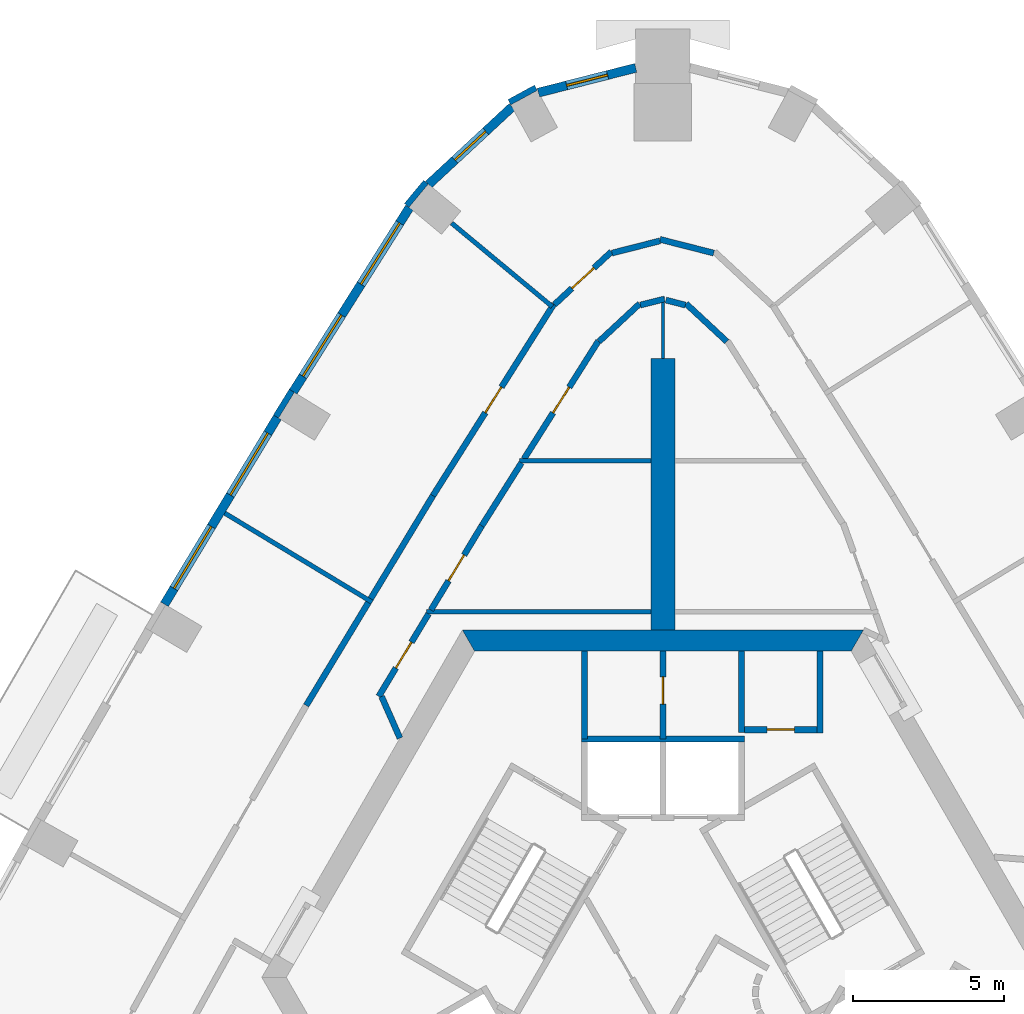
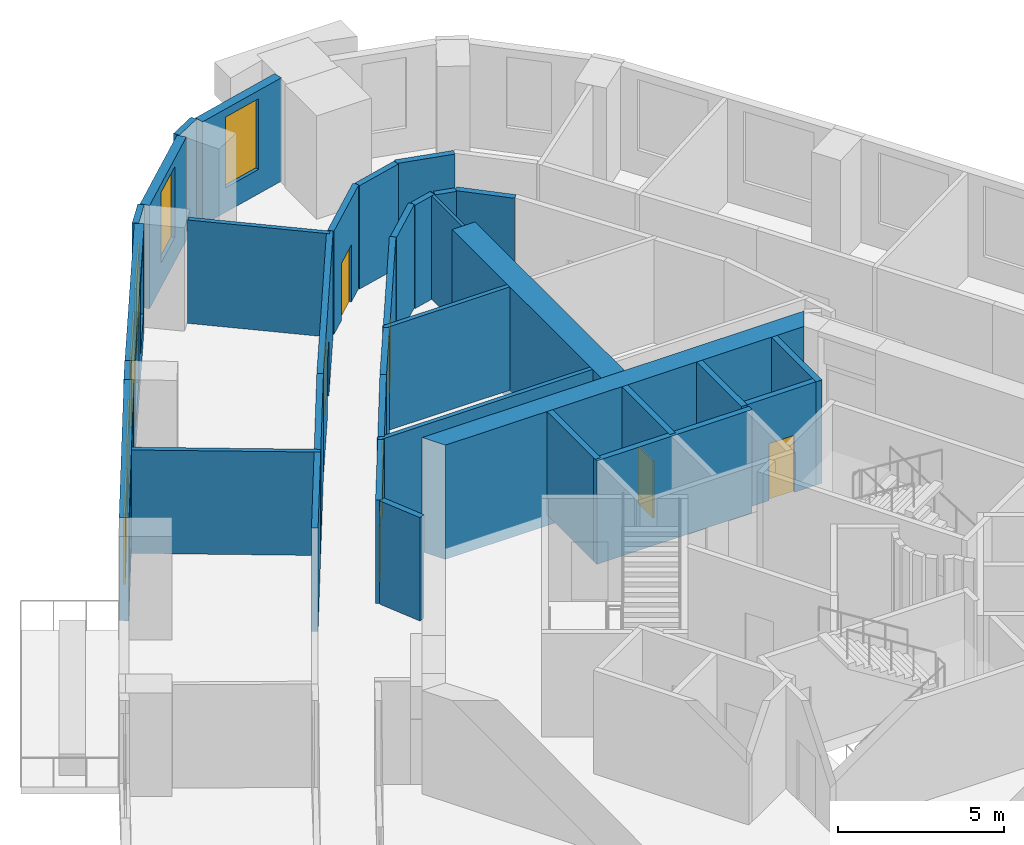
# One storey, part 8 of 13: 35 walls, 7 doors, 6 windows, 13 openings.
"""IFC4 building model written with IfcOpenShell, lengths in metres."""

from ifc_helpers import new_model, si_unit, direction, frame, frame_2d, origin, place, context, subcontext, project, spatial, polyline, rectangle, outline, extrude, material, layer, layer_set, type_object, element, fill, save


model = new_model("IFC4")

# Units and contexts
model_context = context("Model", 3, precision=1e-05, world=origin(), true_north=direction((0.0, 1.0)))
body_context = subcontext(model_context, "Body", "Model", "MODEL_VIEW")
ifc_project = project(units=[si_unit("LENGTHUNIT", "METRE"), si_unit("AREAUNIT", "SQUARE_METRE"), si_unit("VOLUMEUNIT", "CUBIC_METRE"), si_unit("PLANEANGLEUNIT", "RADIAN"), si_unit("MASSUNIT", "GRAM", prefix="KILO")], contexts=[model_context])

# Site, building, storey
site_placement = place(None, origin())
site = spatial("IfcSite", under=ifc_project, at=site_placement, CompositionType="ELEMENT")
building_placement = place(site_placement, origin())
building = spatial("IfcBuilding", under=site, at=building_placement, Name="Entoto Arch Interchange Tower", CompositionType="ELEMENT")
storey_placement = place(building_placement, frame((0.0, 0.0, 198.199951171875)))
storey = spatial("IfcBuildingStorey", under=building, at=storey_placement, Name="L44", CompositionType="ELEMENT", Elevation=198.199951171875)

# Walls
ifc_material_1 = material(Name="Concrete C50/60", Category="concrete")
ifc_layer_1 = layer(ifc_material_1, 0.800048828125)
ifc_layer_set_1 = layer_set([ifc_layer_1], Name="Concrete C50/60")
wall_type_1 = type_object("IfcWallType", Name="Buttress wall 800 C50/60", PredefinedType="SHEAR", material=ifc_layer_set_1)
wall_1_placement = place(storey_placement, frame((0.0, 14.0, -0.39990234375), z_axis=(0.0, 0.0, 1.0), x_axis=(0.0, 1.0, 0.0)))
element("IfcWall", 1, at=wall_1_placement, inside=storey, type_object=wall_type_1, Name="Buttress wall N L44", PredefinedType="SHEAR", context=body_context, shape_type="SweptSolid", body=[
    extrude(rectangle(XDim=9.0, YDim=0.800048828125, at=frame_2d((4.5, 0.0))), origin(), (0.0, 0.0, 1.0), 4.199951171875),
])
ifc_layer_2 = layer(ifc_material_1, 0.699951171875)
ifc_layer_set_2 = layer_set([ifc_layer_2], Name="Concrete C50/60")
wall_type_2 = type_object("IfcWallType", Name="Core wall 700 C50/60", PredefinedType="SHEAR", material=ifc_layer_set_2)
wall_2_placement = place(storey_placement, frame((0.0, 0.0, -0.39990234375)))
element("IfcWall", 2, at=wall_2_placement, inside=storey, type_object=wall_type_2, Name="Core wall N L44", PredefinedType="SHEAR", context=body_context, shape_type="SweptSolid", body=[
    extrude(outline(polyline([(6.639892578125, 14.0), (-6.639892578125, 14.0), (-6.235107421875, 13.300048828125), (6.235107421875, 13.300048828125), (6.639892578125, 14.0)])), origin(), (0.0, 0.0, 1.0), 4.199951171875),
])
ifc_material_2 = material(Name="Concrete C40/50", Category="concrete")
ifc_layer_3 = layer(ifc_material_2, 0.199951171875)
ifc_layer_set_3 = layer_set([ifc_layer_3], Name="Concrete C40/50")
wall_type_3 = type_object("IfcWallType", Name="LIFT SHAFT WALL 200", PredefinedType="STANDARD", material=ifc_layer_set_3)
wall_3_placement = place(storey_placement, frame((2.699951171875, 10.39990234375, 0.0), z_axis=(0.0, 0.0, 1.0), x_axis=(-1.0, 0.0, 0.0)))
element("IfcWall", 3, at=wall_3_placement, inside=storey, type_object=wall_type_3, Name="Shaft wall N1 back", PredefinedType="STANDARD", context=body_context, shape_type="SweptSolid", body=[
    extrude(rectangle(XDim=5.39990234375, YDim=0.199951171875, at=frame_2d((2.699951171875, 0.0))), origin(), (0.0, 0.0, 1.0), 3.800048828125),
])
ifc_material_3 = material(Name="Gypsum board partition on steel studs", Category="steel")
ifc_layer_4 = layer(ifc_material_3, 0.10009765625)
ifc_layer_set_4 = layer_set([ifc_layer_4], Name="Gypsum board partition on steel studs")
wall_type_4 = type_object("IfcWallType", Name="PARTITION 100", PredefinedType="PARTITIONING", material=ifc_layer_set_4)
wall_4_placement = place(storey_placement, frame((0.0, 23.0, 0.0), z_axis=(0.0, 0.0, 1.0), x_axis=(0.0, 1.0, 0.0)))
element("IfcWall", 4, at=wall_4_placement, inside=storey, type_object=wall_type_4, Name="wall:L44:p102", PredefinedType="PARTITIONING", context=body_context, shape_type="SweptSolid", body=[
    extrude(rectangle(XDim=2.051025390625, YDim=0.10009765625, at=frame_2d((1.025390625, 0.0))), origin(), (0.0, 0.0, 1.0), 3.800048828125),
])
ifc_layer_5 = layer(ifc_material_3, 0.14990234375)
ifc_layer_set_5 = layer_set([ifc_layer_5], Name="Gypsum board partition on steel studs")
wall_type_5 = type_object("IfcWallType", Name="PARTITION 150", PredefinedType="PARTITIONING", material=ifc_layer_set_5)
wall_5_placement = place(storey_placement, frame((-0.39990234375, 14.60009765625, 0.0), z_axis=(0.0, 0.0, 1.0), x_axis=(-1.0, 0.0, 0.0)))
element("IfcWall", 5, at=wall_5_placement, inside=storey, type_object=wall_type_5, Name="wall:L44:p078", PredefinedType="PARTITIONING", context=body_context, shape_type="SweptSolid", body=[
    extrude(rectangle(XDim=7.420166015625, YDim=0.14990234375, at=frame_2d((3.7099609375, 0.0))), origin(), (0.0, 0.0, 1.0), 3.800048828125),
])
wall_6_placement = place(storey_placement, frame((-4.741943359375, 19.60009765625, 0.0), z_axis=(0.0, 0.0, 1.0), x_axis=(1.0, 0.0, 0.0)))
element("IfcWall", 6, at=wall_6_placement, inside=storey, type_object=wall_type_5, Name="wall:L44:p101", PredefinedType="PARTITIONING", context=body_context, shape_type="SweptSolid", body=[
    extrude(rectangle(XDim=4.342041015625, YDim=0.14990234375, at=frame_2d((2.1708984375, 0.0))), origin(), (0.0, 0.0, 1.0), 3.800048828125),
])
wall_7_placement = place(storey_placement, frame((-3.6630859375, 24.7099609375, 0.0), z_axis=(0.0, 0.0, 1.0), x_axis=(-0.76953221629, 0.638607992505, 0.0)))
element("IfcWall", 7, at=wall_7_placement, inside=storey, type_object=wall_type_5, Name="wall:L44:p116", PredefinedType="PARTITIONING", context=body_context, shape_type="SweptSolid", body=[
    extrude(rectangle(XDim=4.329833984375, YDim=0.14990234375, at=frame_2d((2.1650390625, 0.0))), origin(), (0.0, 0.0, 1.0), 3.800048828125),
])
wall_8_placement = place(storey_placement, frame((-9.6279296875, 14.924072265625, 0.0), z_axis=(0.0, 0.0, 1.0), x_axis=(-0.855931736607, 0.517088834021, 0.0)))
element("IfcWall", 8, at=wall_8_placement, inside=storey, type_object=wall_type_5, Name="wall:L44:p117", PredefinedType="PARTITIONING", context=body_context, shape_type="SweptSolid", body=[
    extrude(rectangle(XDim=5.69921875, YDim=0.14990234375, at=frame_2d((2.849609375, 0.0))), origin(), (0.0, 0.0, 1.0), 3.800048828125),
])

# Wall, opening, door
ifc_layer_6 = layer(ifc_material_3, 0.199951171875)
ifc_layer_set_6 = layer_set([ifc_layer_6], Name="Gypsum board partition on steel studs")
wall_type_6 = type_object("IfcWallType", Name="PARTITION 200", PredefinedType="PARTITIONING", material=ifc_layer_set_6)
wall_9_placement = place(storey_placement, frame((-7.759033203125, 14.535888671875, 0.0), z_axis=(0.0, 0.0, 1.0), x_axis=(-0.516926279395, -0.856029918678, 0.0)))
wall_9 = element("IfcWall", 9, at=wall_9_placement, inside=storey, type_object=wall_type_6, Name="wall:L44:p003", PredefinedType="PARTITIONING", context=body_context, shape_type="SweptSolid", body=[
    extrude(rectangle(XDim=3.18798828125, YDim=0.199951171875, at=frame_2d((1.593994140625, 0.0))), origin(), (0.0, 0.0, 1.0), 3.800048828125),
])
opening_1_placement = place(wall_9_placement, frame((1.093994140625, 0.0, 0.0)))
opening_1 = element("IfcOpeningElement", 10, at=opening_1_placement, cuts=wall_9, Name="Opening L44-D26", PredefinedType="OPENING", context=body_context, shape_type="SweptSolid", body=[
    extrude(rectangle(XDim=1.0, YDim=2.10009765625, at=frame_2d((0.5, 1.050048828125))), frame((0.0, 0.10986328125, 0.0), z_axis=(0.0, -1.0, 0.0), x_axis=(1.0, 0.0, 0.0)), (0.0, 0.0, 1.0), 0.219970703125),
])
ifc_material_4 = material(Name="Timber door leaf in Steel S235 frame", Category="steel")
door_type_1 = type_object("IfcDoorType", Name="DOOR DS-10 1000x2100", OperationType="SINGLE_SWING_LEFT", PredefinedType="DOOR", material=ifc_material_4)
door_1_placement = place(opening_1_placement, origin())
door_1 = element("IfcDoor", 11, at=door_1_placement, inside=storey, type_object=door_type_1, Name="door:L44:26", OperationType="SINGLE_SWING_LEFT", OverallHeight=2.10009765625, OverallWidth=1.0, PredefinedType="DOOR", context=body_context, shape_type="SweptSolid", body=[
    extrude(rectangle(XDim=1.0, YDim=2.10009765625, at=frame_2d((0.5, 1.050048828125))), frame((0.0, 0.02490234375, 0.0), z_axis=(0.0, -1.0, 0.0), x_axis=(1.0, 0.0, 0.0)), (0.0, 0.0, 1.0), 0.050048828125),
])
fill(opening_1, door_1)

# Walls
wall_10_placement = place(storey_placement, frame((-9.31494140625, 11.801025390625, 0.0), z_axis=(0.0, 0.0, 1.0), x_axis=(0.403943240321, -0.914784050254, 0.0)))
element("IfcWall", 12, at=wall_10_placement, inside=storey, type_object=wall_type_6, Name="wall:L44:p004", PredefinedType="PARTITIONING", context=body_context, shape_type="SweptSolid", body=[
    extrude(rectangle(XDim=1.50732421875, YDim=0.199951171875, at=frame_2d((0.753662109375, 0.0))), origin(), (0.0, 0.0, 1.0), 3.800048828125),
])
wall_11_placement = place(storey_placement, frame((-4.681884765625, 19.537109375, 0.0), z_axis=(0.0, 0.0, 1.0), x_axis=(-0.533579580306, -0.845749863423, 0.0)))
element("IfcWall", 13, at=wall_11_placement, inside=storey, type_object=wall_type_6, Name="wall:L44:p009", PredefinedType="PARTITIONING", context=body_context, shape_type="SweptSolid", body=[
    extrude(rectangle(XDim=2.466552734375, YDim=0.199951171875, at=frame_2d((1.2333984375, 0.0))), origin(), (0.0, 0.0, 1.0), 3.800048828125),
])

# Wall, opening, door
wall_12_placement = place(storey_placement, frame((-5.998046875, 17.450927734375, 0.0), z_axis=(0.0, 0.0, 1.0), x_axis=(-0.516919907997, -0.856033766108, 0.0)))
wall_12 = element("IfcWall", 14, at=wall_12_placement, inside=storey, type_object=wall_type_6, Name="wall:L44:p010", PredefinedType="PARTITIONING", context=body_context, shape_type="SweptSolid", body=[
    extrude(rectangle(XDim=3.255615234375, YDim=0.199951171875, at=frame_2d((1.6279296875, 0.0))), origin(), (0.0, 0.0, 1.0), 3.800048828125),
])
opening_2_placement = place(wall_12_placement, frame((1.1279296875, 0.0, 0.0)))
opening_2 = element("IfcOpeningElement", 15, at=opening_2_placement, cuts=wall_12, Name="Opening L44-D22", PredefinedType="OPENING", context=body_context, shape_type="SweptSolid", body=[
    extrude(rectangle(XDim=1.0, YDim=2.10009765625, at=frame_2d((0.5, 1.050048828125))), frame((0.0, 0.10986328125, 0.0), z_axis=(0.0, -1.0, 0.0), x_axis=(1.0, 0.0, 0.0)), (0.0, 0.0, 1.0), 0.219970703125),
])
door_2_placement = place(opening_2_placement, origin())
door_2 = element("IfcDoor", 16, at=door_2_placement, inside=storey, type_object=door_type_1, Name="door:L44:22", OperationType="SINGLE_SWING_RIGHT", OverallHeight=2.10009765625, OverallWidth=1.0, PredefinedType="DOOR", context=body_context, shape_type="SweptSolid", body=[
    extrude(rectangle(XDim=1.0, YDim=2.10009765625, at=frame_2d((0.5, 1.050048828125))), frame((0.0, 0.02490234375, 0.0), z_axis=(0.0, -1.0, 0.0), x_axis=(1.0, 0.0, 0.0)), (0.0, 0.0, 1.0), 0.050048828125),
])
fill(opening_2, door_2)

# Walls
wall_13_placement = place(storey_placement, frame((2.115966796875, 23.553955078125, 0.0), z_axis=(0.0, 0.0, 1.0), x_axis=(-0.732722533409, 0.680527507919, 0.0)))
element("IfcWall", 17, at=wall_13_placement, inside=storey, type_object=wall_type_6, Name="wall:L44:p012", PredefinedType="PARTITIONING", context=body_context, shape_type="SweptSolid", body=[
    extrude(rectangle(XDim=1.838134765625, YDim=0.199951171875, at=frame_2d((0.9189453125, 0.0))), origin(), (0.0, 0.0, 1.0), 3.800048828125),
])
wall_14_placement = place(storey_placement, frame((0.7451171875, 24.760986328125, 0.0), z_axis=(0.0, 0.0, 1.0), x_axis=(-0.969081307177, 0.246741605895, 0.0)))
element("IfcWall", 18, at=wall_14_placement, inside=storey, type_object=wall_type_6, Name="wall:L44:p013", PredefinedType="PARTITIONING", context=body_context, shape_type="SweptSolid", body=[
    extrude(rectangle(XDim=0.6689453125, YDim=0.199951171875, at=frame_2d((0.33447265625, 0.0))), origin(), (0.0, 0.0, 1.0), 3.800048828125),
])
wall_15_placement = place(storey_placement, frame((0.048095703125, 24.962890625, 0.0), z_axis=(0.0, 0.0, 1.0), x_axis=(-0.969098470359, -0.246674187438, 0.0)))
element("IfcWall", 19, at=wall_15_placement, inside=storey, type_object=wall_type_6, Name="wall:L44:p014", PredefinedType="PARTITIONING", context=body_context, shape_type="SweptSolid", body=[
    extrude(rectangle(XDim=0.818603515625, YDim=0.199951171875, at=frame_2d((0.4091796875, 0.0))), origin(), (0.0, 0.0, 1.0), 3.800048828125),
])
wall_16_placement = place(storey_placement, frame((-0.76904296875, 24.804931640625, 0.0), z_axis=(0.0, 0.0, 1.0), x_axis=(-0.732722533409, -0.680527507919, 0.0)))
element("IfcWall", 20, at=wall_16_placement, inside=storey, type_object=wall_type_6, Name="wall:L44:p015", PredefinedType="PARTITIONING", context=body_context, shape_type="SweptSolid", body=[
    extrude(rectangle(XDim=1.838134765625, YDim=0.199951171875, at=frame_2d((0.9189453125, 0.0))), origin(), (0.0, 0.0, 1.0), 3.800048828125),
])

# Wall, opening, door
wall_17_placement = place(storey_placement, frame((-2.135986328125, 23.571044921875, 0.0), z_axis=(0.0, 0.0, 1.0), x_axis=(-0.533664968846, -0.845695986171, 0.0)))
wall_17 = element("IfcWall", 21, at=wall_17_placement, inside=storey, type_object=wall_type_6, Name="wall:L44:p016", PredefinedType="PARTITIONING", context=body_context, shape_type="SweptSolid", body=[
    extrude(rectangle(XDim=4.62109375, YDim=0.199951171875, at=frame_2d((2.310546875, 0.0))), origin(), (0.0, 0.0, 1.0), 3.800048828125),
])
opening_3_placement = place(wall_17_placement, frame((1.81005859375, 0.0, 0.0)))
opening_3 = element("IfcOpeningElement", 22, at=opening_3_placement, cuts=wall_17, Name="Opening L44-D24", PredefinedType="OPENING", context=body_context, shape_type="SweptSolid", body=[
    extrude(rectangle(XDim=1.0, YDim=2.10009765625, at=frame_2d((0.5, 1.050048828125))), frame((0.0, 0.10986328125, 0.0), z_axis=(0.0, -1.0, 0.0), x_axis=(1.0, 0.0, 0.0)), (0.0, 0.0, 1.0), 0.219970703125),
])
door_3_placement = place(opening_3_placement, origin())
door_3 = element("IfcDoor", 23, at=door_3_placement, inside=storey, type_object=door_type_1, Name="door:L44:24", OperationType="SINGLE_SWING_LEFT", OverallHeight=2.10009765625, OverallWidth=1.0, PredefinedType="DOOR", context=body_context, shape_type="SweptSolid", body=[
    extrude(rectangle(XDim=1.0, YDim=2.10009765625, at=frame_2d((0.5, 1.050048828125))), frame((0.0, 0.02490234375, 0.0), z_axis=(0.0, -1.0, 0.0), x_axis=(1.0, 0.0, 0.0)), (0.0, 0.0, 1.0), 0.050048828125),
])
fill(opening_3, door_3)

wall_18_placement = place(storey_placement, frame((-3.590087890625, 24.778076171875, 0.0), z_axis=(0.0, 0.0, 1.0), x_axis=(0.732939008525, 0.680294355248, 0.0)))
wall_18 = element("IfcWall", 24, at=wall_18_placement, inside=storey, type_object=wall_type_6, Name="wall:L44:p048", PredefinedType="PARTITIONING", context=body_context, shape_type="SweptSolid", body=[
    extrude(rectangle(XDim=2.569091796875, YDim=0.199951171875, at=frame_2d((1.28466796875, 0.0))), origin(), (0.0, 0.0, 1.0), 3.800048828125),
])
opening_4_placement = place(wall_18_placement, frame((0.784912109375, 0.0, 0.0)))
opening_4 = element("IfcOpeningElement", 25, at=opening_4_placement, cuts=wall_18, Name="Opening L44-D09", PredefinedType="OPENING", context=body_context, shape_type="SweptSolid", body=[
    extrude(rectangle(XDim=1.0, YDim=2.10009765625, at=frame_2d((0.5, 1.050048828125))), frame((0.0, 0.10986328125, 0.0), z_axis=(0.0, -1.0, 0.0), x_axis=(1.0, 0.0, 0.0)), (0.0, 0.0, 1.0), 0.219970703125),
])
door_4_placement = place(opening_4_placement, origin())
door_4 = element("IfcDoor", 26, at=door_4_placement, inside=storey, type_object=door_type_1, Name="door:L44:09", OperationType="SINGLE_SWING_LEFT", OverallHeight=2.10009765625, OverallWidth=1.0, PredefinedType="DOOR", context=body_context, shape_type="SweptSolid", body=[
    extrude(rectangle(XDim=1.0, YDim=2.10009765625, at=frame_2d((0.5, 1.050048828125))), frame((0.0, 0.02490234375, 0.0), z_axis=(0.0, -1.0, 0.0), x_axis=(1.0, 0.0, 0.0)), (0.0, 0.0, 1.0), 0.050048828125),
])
fill(opening_4, door_4)

# Walls
wall_19_placement = place(storey_placement, frame((-1.68310546875, 26.48291015625, 0.0), z_axis=(0.0, 0.0, 1.0), x_axis=(0.969053723172, 0.246849917169, 0.0)))
element("IfcWall", 27, at=wall_19_placement, inside=storey, type_object=wall_type_6, Name="wall:L44:p049", PredefinedType="PARTITIONING", context=body_context, shape_type="SweptSolid", body=[
    extrude(rectangle(XDim=1.63671875, YDim=0.199951171875, at=frame_2d((0.818359375, 0.0))), origin(), (0.0, 0.0, 1.0), 3.800048828125),
])
wall_20_placement = place(storey_placement, frame((-0.096923828125, 26.93603515625, 0.0), z_axis=(0.0, 0.0, 1.0), x_axis=(0.969093707519, -0.246692898252, 0.0)))
element("IfcWall", 28, at=wall_20_placement, inside=storey, type_object=wall_type_6, Name="wall:L44:p050", PredefinedType="PARTITIONING", context=body_context, shape_type="SweptSolid", body=[
    extrude(rectangle(XDim=1.8369140625, YDim=0.199951171875, at=frame_2d((0.91845703125, 0.0))), origin(), (0.0, 0.0, 1.0), 3.800048828125),
])
wall_21_placement = place(storey_placement, frame((-9.674072265625, 15.0390625, 0.0), z_axis=(0.0, 0.0, 1.0), x_axis=(0.516918251554, 0.856034766356, 0.0)))
element("IfcWall", 29, at=wall_21_placement, inside=storey, type_object=wall_type_6, Name="wall:L44:p052", PredefinedType="PARTITIONING", context=body_context, shape_type="SweptSolid", body=[
    extrude(rectangle(XDim=3.9833984375, YDim=0.199951171875, at=frame_2d((1.99169921875, 0.0))), origin(), (0.0, 0.0, 1.0), 3.800048828125),
])

# Wall, opening, door
wall_22_placement = place(storey_placement, frame((-7.614990234375, 18.448974609375, 0.0), z_axis=(0.0, 0.0, 1.0), x_axis=(0.533699180497, 0.845674396406, 0.0)))
wall_22 = element("IfcWall", 30, at=wall_22_placement, inside=storey, type_object=wall_type_6, Name="wall:L44:p053", PredefinedType="PARTITIONING", context=body_context, shape_type="SweptSolid", body=[
    extrude(rectangle(XDim=7.50390625, YDim=0.199951171875, at=frame_2d((3.751953125, 0.0))), origin(), (0.0, 0.0, 1.0), 3.800048828125),
])
opening_5_placement = place(wall_22_placement, frame((3.251953125, 0.0, 0.0)))
opening_5 = element("IfcOpeningElement", 31, at=opening_5_placement, cuts=wall_22, Name="Opening L44-D10", PredefinedType="OPENING", context=body_context, shape_type="SweptSolid", body=[
    extrude(rectangle(XDim=1.0, YDim=2.10009765625, at=frame_2d((0.5, 1.050048828125))), frame((0.0, 0.10986328125, 0.0), z_axis=(0.0, -1.0, 0.0), x_axis=(1.0, 0.0, 0.0)), (0.0, 0.0, 1.0), 0.219970703125),
])
door_5_placement = place(opening_5_placement, origin())
door_5 = element("IfcDoor", 32, at=door_5_placement, inside=storey, type_object=door_type_1, Name="door:L44:10", OperationType="SINGLE_SWING_RIGHT", OverallHeight=2.10009765625, OverallWidth=1.0, PredefinedType="DOOR", context=body_context, shape_type="SweptSolid", body=[
    extrude(rectangle(XDim=1.0, YDim=2.10009765625, at=frame_2d((0.5, 1.050048828125))), frame((0.0, 0.02490234375, 0.0), z_axis=(0.0, -1.0, 0.0), x_axis=(1.0, 0.0, 0.0)), (0.0, 0.0, 1.0), 0.050048828125),
])
fill(opening_5, door_5)

# Walls
wall_23_placement = place(storey_placement, frame((-11.81103515625, 11.5029296875, 0.0), z_axis=(0.0, 0.0, 1.0), x_axis=(0.517135291957, 0.855903668535, 0.0)))
element("IfcWall", 33, at=wall_23_placement, inside=storey, type_object=wall_type_6, Name="wall:L44:p055", PredefinedType="PARTITIONING", context=body_context, shape_type="SweptSolid", body=[
    extrude(rectangle(XDim=3.981689453125, YDim=0.199951171875, at=frame_2d((1.99072265625, 0.0))), origin(), (0.0, 0.0, 1.0), 3.800048828125),
])
wall_24_placement = place(storey_placement, frame((5.199951171875, 13.300048828125, 0.0), z_axis=(0.0, 0.0, 1.0), x_axis=(0.0, -1.0, 0.0)))
element("IfcWall", 34, at=wall_24_placement, inside=storey, type_object=wall_type_6, Name="wall:L44:p066", PredefinedType="PARTITIONING", context=body_context, shape_type="SweptSolid", body=[
    extrude(rectangle(XDim=2.699951171875, YDim=0.199951171875, at=frame_2d((1.35009765625, 0.0))), origin(), (0.0, 0.0, 1.0), 3.800048828125),
])

# Wall, opening, door
wall_25_placement = place(storey_placement, frame((5.10009765625, 10.699951171875, 0.0), z_axis=(0.0, 0.0, 1.0), x_axis=(-1.0, 0.0, 0.0)))
wall_25 = element("IfcWall", 35, at=wall_25_placement, inside=storey, type_object=wall_type_6, Name="wall:L44:p067", PredefinedType="PARTITIONING", context=body_context, shape_type="SweptSolid", body=[
    extrude(rectangle(XDim=2.400146484375, YDim=0.199951171875, at=frame_2d((1.2001953125, 0.0))), origin(), (0.0, 0.0, 1.0), 3.800048828125),
])
opening_6_placement = place(wall_25_placement, frame((0.75, 0.0, 0.0)))
opening_6 = element("IfcOpeningElement", 36, at=opening_6_placement, cuts=wall_25, Name="Opening L44-D30", PredefinedType="OPENING", context=body_context, shape_type="SweptSolid", body=[
    extrude(rectangle(XDim=0.89990234375, YDim=2.10009765625, at=frame_2d((0.449951171875, 1.050048828125))), frame((0.0, 0.10986328125, 0.0), z_axis=(0.0, -1.0, 0.0), x_axis=(1.0, 0.0, 0.0)), (0.0, 0.0, 1.0), 0.219970703125),
])
door_type_2 = type_object("IfcDoorType", Name="DOOR DS-09 900x2100", OperationType="SINGLE_SWING_LEFT", PredefinedType="DOOR", material=ifc_material_4)
door_6_placement = place(opening_6_placement, origin())
door_6 = element("IfcDoor", 37, at=door_6_placement, inside=storey, type_object=door_type_2, Name="door:L44:30", OperationType="SINGLE_SWING_RIGHT", OverallHeight=2.10009765625, OverallWidth=0.89990234375, PredefinedType="DOOR", context=body_context, shape_type="SweptSolid", body=[
    extrude(rectangle(XDim=0.89990234375, YDim=2.10009765625, at=frame_2d((0.449951171875, 1.050048828125))), frame((0.0, 0.02490234375, 0.0), z_axis=(0.0, -1.0, 0.0), x_axis=(1.0, 0.0, 0.0)), (0.0, 0.0, 1.0), 0.050048828125),
])
fill(opening_6, door_6)

# Walls
wall_26_placement = place(storey_placement, frame((2.60009765625, 10.60009765625, 0.0), z_axis=(0.0, 0.0, 1.0), x_axis=(0.0, 1.0, 0.0)))
element("IfcWall", 38, at=wall_26_placement, inside=storey, type_object=wall_type_6, Name="wall:L44:p068", PredefinedType="PARTITIONING", context=body_context, shape_type="SweptSolid", body=[
    extrude(rectangle(XDim=2.699951171875, YDim=0.199951171875, at=frame_2d((1.35009765625, 0.0))), origin(), (0.0, 0.0, 1.0), 3.800048828125),
])
wall_27_placement = place(storey_placement, frame((-2.59912109375, 10.39892578125, 0.0), z_axis=(0.0, 0.0, 1.0), x_axis=(-0.000336615314, 0.999999943345, 0.0)))
element("IfcWall", 39, at=wall_27_placement, inside=storey, type_object=wall_type_6, Name="wall:L44:p069", PredefinedType="PARTITIONING", context=body_context, shape_type="SweptSolid", body=[
    extrude(rectangle(XDim=2.901123046875, YDim=0.199951171875, at=frame_2d((1.45068359375, 0.0))), origin(), (0.0, 0.0, 1.0), 3.800048828125),
])

# Wall, opening, door
wall_28_placement = place(storey_placement, frame((0.0, 13.300048828125, 0.0), z_axis=(0.0, 0.0, 1.0), x_axis=(-0.000336728662, -0.999999943307, 0.0)))
wall_28 = element("IfcWall", 40, at=wall_28_placement, inside=storey, type_object=wall_type_6, Name="wall:L44:p070", PredefinedType="PARTITIONING", context=body_context, shape_type="SweptSolid", body=[
    extrude(rectangle(XDim=2.900146484375, YDim=0.199951171875, at=frame_2d((1.4501953125, 0.0))), origin(), (0.0, 0.0, 1.0), 3.800048828125),
])
opening_7_placement = place(wall_28_placement, frame((0.85009765625, 0.0, 0.0)))
opening_7 = element("IfcOpeningElement", 41, at=opening_7_placement, cuts=wall_28, Name="Opening L44-D31", PredefinedType="OPENING", context=body_context, shape_type="SweptSolid", body=[
    extrude(rectangle(XDim=0.89990234375, YDim=2.10009765625, at=frame_2d((0.449951171875, 1.050048828125))), frame((0.0, 0.10986328125, 0.0), z_axis=(0.0, -1.0, 0.0), x_axis=(1.0, 0.0, 0.0)), (0.0, 0.0, 1.0), 0.219970703125),
])
door_7_placement = place(opening_7_placement, origin())
door_7 = element("IfcDoor", 42, at=door_7_placement, inside=storey, type_object=door_type_2, Name="door:L44:31", OperationType="SINGLE_SWING_RIGHT", OverallHeight=2.10009765625, OverallWidth=0.89990234375, PredefinedType="DOOR", context=body_context, shape_type="SweptSolid", body=[
    extrude(rectangle(XDim=0.89990234375, YDim=2.10009765625, at=frame_2d((0.449951171875, 1.050048828125))), frame((0.0, 0.02490234375, 0.0), z_axis=(0.0, -1.0, 0.0), x_axis=(1.0, 0.0, 0.0)), (0.0, 0.0, 1.0), 0.050048828125),
])
fill(opening_7, door_7)

# Wall, opening, window
ifc_material_5 = material(Name="Welded tuff (ignimbrite) cladding, warm buff", Category="masonry")
ifc_layer_7 = layer(ifc_material_5, 0.300048828125)
ifc_layer_set_7 = layer_set([ifc_layer_7], Name="Welded tuff (ignimbrite) cladding, warm buff")
wall_type_7 = type_object("IfcWallType", Name="STONE INFILL WALL 300", PredefinedType="STANDARD", material=ifc_layer_set_7)
wall_29_placement = place(storey_placement, frame((-0.89892578125, 32.615966796875, 0.0), z_axis=(0.0, 0.0, 1.0), x_axis=(-0.969087915137, -0.24671565158, 0.0)))
wall_29 = element("IfcWall", 43, at=wall_29_placement, inside=storey, type_object=wall_type_7, Name="Facade wall N-03 L44", PredefinedType="STANDARD", context=body_context, shape_type="SweptSolid", body=[
    extrude(rectangle(XDim=3.323974609375, YDim=0.300048828125, at=frame_2d((1.662109375, 0.0))), origin(), (0.0, 0.0, 1.0), 3.800048828125),
])
opening_8_placement = place(wall_29_placement, frame((0.9619140625, 0.0, 0.89990234375)))
opening_8 = element("IfcOpeningElement", 44, at=opening_8_placement, cuts=wall_29, Name="Opening WO-B", PredefinedType="OPENING", context=body_context, shape_type="SweptSolid", body=[
    extrude(rectangle(XDim=1.39990234375, YDim=2.60009765625, at=frame_2d((0.699951171875, 1.300048828125))), frame((0.0, 0.16015625, 0.0), z_axis=(0.0, -1.0, 0.0), x_axis=(1.0, 0.0, 0.0)), (0.0, 0.0, 1.0), 0.320068359375),
])
ifc_material_6 = material(Name="Clear glass, low-e double glazed", Category="glass")
window_type_1 = type_object("IfcWindowType", Name="WINDOW WO-B 1400x2600", PartitioningType="DOUBLE_PANEL_VERTICAL", PredefinedType="WINDOW", material=ifc_material_6)
window_1_placement = place(opening_8_placement, origin())
window_1 = element("IfcWindow", 45, at=window_1_placement, inside=storey, type_object=window_type_1, Name="Window WO-B N-03 L44", OverallHeight=2.60009765625, OverallWidth=1.39990234375, PartitioningType="SINGLE_PANEL", PredefinedType="WINDOW", context=body_context, shape_type="SweptSolid", body=[
    extrude(rectangle(XDim=1.39990234375, YDim=2.60009765625, at=frame_2d((0.699951171875, 1.300048828125))), frame((0.0, 0.030029296875, 0.0), z_axis=(0.0, -1.0, 0.0), x_axis=(1.0, 0.0, 0.0)), (0.0, 0.0, 1.0), 0.06005859375),
])
fill(opening_8, window_1)

wall_30_placement = place(storey_placement, frame((-4.99609375, 31.319091796875, 0.0), z_axis=(0.0, 0.0, 1.0), x_axis=(-0.732897351132, -0.680339233547, 0.0)))
wall_30 = element("IfcWall", 46, at=wall_30_placement, inside=storey, type_object=wall_type_7, Name="Facade wall N-04 L44", PredefinedType="STANDARD", context=body_context, shape_type="SweptSolid", body=[
    extrude(rectangle(XDim=3.767333984375, YDim=0.300048828125, at=frame_2d((1.8837890625, 0.0))), origin(), (0.0, 0.0, 1.0), 3.800048828125),
])
opening_9_placement = place(wall_30_placement, frame((1.18408203125, 0.0, 0.89990234375)))
opening_9 = element("IfcOpeningElement", 47, at=opening_9_placement, cuts=wall_30, Name="Opening WO-B", PredefinedType="OPENING", context=body_context, shape_type="SweptSolid", body=[
    extrude(rectangle(XDim=1.39990234375, YDim=2.60009765625, at=frame_2d((0.699951171875, 1.300048828125))), frame((0.0, 0.16015625, 0.0), z_axis=(0.0, -1.0, 0.0), x_axis=(1.0, 0.0, 0.0)), (0.0, 0.0, 1.0), 0.320068359375),
])
window_2_placement = place(opening_9_placement, origin())
window_2 = element("IfcWindow", 48, at=window_2_placement, inside=storey, type_object=window_type_1, Name="Window WO-B N-04 L44", OverallHeight=2.60009765625, OverallWidth=1.39990234375, PartitioningType="SINGLE_PANEL", PredefinedType="WINDOW", context=body_context, shape_type="SweptSolid", body=[
    extrude(rectangle(XDim=1.39990234375, YDim=2.60009765625, at=frame_2d((0.699951171875, 1.300048828125))), frame((0.0, 0.030029296875, 0.0), z_axis=(0.0, -1.0, 0.0), x_axis=(1.0, 0.0, 0.0)), (0.0, 0.0, 1.0), 0.06005859375),
])
fill(opening_9, window_2)

# Wall, openings, windows
wall_31_placement = place(storey_placement, frame((-8.39404296875, 27.988037109375, 0.0), z_axis=(0.0, 0.0, 1.0), x_axis=(-0.533680752529, -0.845686025887, 0.0)))
wall_31 = element("IfcWall", 49, at=wall_31_placement, inside=storey, type_object=wall_type_7, Name="Facade wall NW-01 L44", PredefinedType="STANDARD", context=body_context, shape_type="SweptSolid", body=[
    extrude(rectangle(XDim=7.208251953125, YDim=0.300048828125, at=frame_2d((3.60400390625, 0.0))), origin(), (0.0, 0.0, 1.0), 3.800048828125),
])
opening_10_placement = place(wall_31_placement, frame((0.60205078125, 0.0, 0.89990234375)))
opening_10 = element("IfcOpeningElement", 50, at=opening_10_placement, cuts=wall_31, Name="Opening WO-A", PredefinedType="OPENING", context=body_context, shape_type="SweptSolid", body=[
    extrude(rectangle(XDim=2.39990234375, YDim=2.60009765625, at=frame_2d((1.199951171875, 1.300048828125))), frame((0.0, 0.16015625, 0.0), z_axis=(0.0, -1.0, 0.0), x_axis=(1.0, 0.0, 0.0)), (0.0, 0.0, 1.0), 0.320068359375),
])
opening_11_placement = place(wall_31_placement, frame((4.2060546875, 0.0, 0.89990234375)))
opening_11 = element("IfcOpeningElement", 51, at=opening_11_placement, cuts=wall_31, Name="Opening WO-A", PredefinedType="OPENING", context=body_context, shape_type="SweptSolid", body=[
    extrude(rectangle(XDim=2.39990234375, YDim=2.60009765625, at=frame_2d((1.199951171875, 1.300048828125))), frame((0.0, 0.16015625, 0.0), z_axis=(0.0, -1.0, 0.0), x_axis=(1.0, 0.0, 0.0)), (0.0, 0.0, 1.0), 0.320068359375),
])
window_type_2 = type_object("IfcWindowType", Name="WINDOW WO-A 2400x2600", PartitioningType="DOUBLE_PANEL_VERTICAL", PredefinedType="WINDOW", material=ifc_material_6)
window_3_placement = place(opening_10_placement, origin())
window_3 = element("IfcWindow", 52, at=window_3_placement, inside=storey, type_object=window_type_2, Name="Window WO-A NW-01 L44", OverallHeight=2.60009765625, OverallWidth=2.39990234375, PartitioningType="SINGLE_PANEL", PredefinedType="WINDOW", context=body_context, shape_type="SweptSolid", body=[
    extrude(rectangle(XDim=2.39990234375, YDim=2.60009765625, at=frame_2d((1.199951171875, 1.300048828125))), frame((0.0, 0.030029296875, 0.0), z_axis=(0.0, -1.0, 0.0), x_axis=(1.0, 0.0, 0.0)), (0.0, 0.0, 1.0), 0.06005859375),
])
fill(opening_10, window_3)
window_4_placement = place(opening_11_placement, origin())
window_4 = element("IfcWindow", 53, at=window_4_placement, inside=storey, type_object=window_type_2, Name="Window WO-A NW-01 L44", OverallHeight=2.60009765625, OverallWidth=2.39990234375, PartitioningType="SINGLE_PANEL", PredefinedType="WINDOW", context=body_context, shape_type="SweptSolid", body=[
    extrude(rectangle(XDim=2.39990234375, YDim=2.60009765625, at=frame_2d((1.199951171875, 1.300048828125))), frame((0.0, 0.030029296875, 0.0), z_axis=(0.0, -1.0, 0.0), x_axis=(1.0, 0.0, 0.0)), (0.0, 0.0, 1.0), 0.06005859375),
])
fill(opening_11, window_4)

wall_32_placement = place(storey_placement, frame((-12.764892578125, 21.04296875, 0.0), z_axis=(0.0, 0.0, 1.0), x_axis=(-0.517159962006, -0.855888762456, 0.0)))
wall_32 = element("IfcWall", 54, at=wall_32_placement, inside=storey, type_object=wall_type_7, Name="Facade wall NW-02 L44", PredefinedType="STANDARD", context=body_context, shape_type="SweptSolid", body=[
    extrude(rectangle(XDim=7.22998046875, YDim=0.300048828125, at=frame_2d((3.614990234375, 0.0))), origin(), (0.0, 0.0, 1.0), 3.800048828125),
])
opening_12_placement = place(wall_32_placement, frame((0.60693359375, 0.0, 0.89990234375)))
opening_12 = element("IfcOpeningElement", 55, at=opening_12_placement, cuts=wall_32, Name="Opening WO-A", PredefinedType="OPENING", context=body_context, shape_type="SweptSolid", body=[
    extrude(rectangle(XDim=2.39990234375, YDim=2.60009765625, at=frame_2d((1.199951171875, 1.300048828125))), frame((0.0, 0.16015625, 0.0), z_axis=(0.0, -1.0, 0.0), x_axis=(1.0, 0.0, 0.0)), (0.0, 0.0, 1.0), 0.320068359375),
])
opening_13_placement = place(wall_32_placement, frame((4.221923828125, 0.0, 0.89990234375)))
opening_13 = element("IfcOpeningElement", 56, at=opening_13_placement, cuts=wall_32, Name="Opening WO-A", PredefinedType="OPENING", context=body_context, shape_type="SweptSolid", body=[
    extrude(rectangle(XDim=2.39990234375, YDim=2.60009765625, at=frame_2d((1.199951171875, 1.300048828125))), frame((0.0, 0.16015625, 0.0), z_axis=(0.0, -1.0, 0.0), x_axis=(1.0, 0.0, 0.0)), (0.0, 0.0, 1.0), 0.320068359375),
])
window_5_placement = place(opening_12_placement, origin())
window_5 = element("IfcWindow", 57, at=window_5_placement, inside=storey, type_object=window_type_2, Name="Window WO-A NW-02 L44", OverallHeight=2.60009765625, OverallWidth=2.39990234375, PartitioningType="SINGLE_PANEL", PredefinedType="WINDOW", context=body_context, shape_type="SweptSolid", body=[
    extrude(rectangle(XDim=2.39990234375, YDim=2.60009765625, at=frame_2d((1.199951171875, 1.300048828125))), frame((0.0, 0.030029296875, 0.0), z_axis=(0.0, -1.0, 0.0), x_axis=(1.0, 0.0, 0.0)), (0.0, 0.0, 1.0), 0.06005859375),
])
fill(opening_12, window_5)
window_6_placement = place(opening_13_placement, origin())
window_6 = element("IfcWindow", 58, at=window_6_placement, inside=storey, type_object=window_type_2, Name="Window WO-A NW-02 L44", OverallHeight=2.60009765625, OverallWidth=2.39990234375, PartitioningType="SINGLE_PANEL", PredefinedType="WINDOW", context=body_context, shape_type="SweptSolid", body=[
    extrude(rectangle(XDim=2.39990234375, YDim=2.60009765625, at=frame_2d((1.199951171875, 1.300048828125))), frame((0.0, 0.030029296875, 0.0), z_axis=(0.0, -1.0, 0.0), x_axis=(1.0, 0.0, 0.0)), (0.0, 0.0, 1.0), 0.06005859375),
])
fill(opening_13, window_6)

# Walls
ifc_layer_8 = layer(ifc_material_5, 0.199951171875)
ifc_layer_set_8 = layer_set([ifc_layer_8], Name="Welded tuff (ignimbrite) cladding, warm buff")
wall_type_8 = type_object("IfcWallType", Name="STONE PIER CLADDING 200", PredefinedType="STANDARD", material=ifc_layer_set_8)
wall_33_placement = place(storey_placement, frame((-4.2060546875, 31.9560546875, 0.0), z_axis=(0.0, 0.0, 1.0), x_axis=(-0.878250009632, -0.478201757191, 0.0)))
element("IfcWall", 59, at=wall_33_placement, inside=storey, type_object=wall_type_8, Name="Stone pier N3 L44", PredefinedType="STANDARD", context=body_context, shape_type="SweptSolid", body=[
    extrude(rectangle(XDim=0.999755859375, YDim=0.199951171875, at=frame_2d((0.5, 0.0))), origin(), (0.0, 0.0, 1.0), 3.800048828125),
])
wall_34_placement = place(storey_placement, frame((-7.845947265625, 28.8310546875, 0.0), z_axis=(0.0, 0.0, 1.0), x_axis=(-0.637972365578, -0.770059257953, 0.0)))
element("IfcWall", 60, at=wall_34_placement, inside=storey, type_object=wall_type_8, Name="Stone pier NW01 L44", PredefinedType="STANDARD", context=body_context, shape_type="SweptSolid", body=[
    extrude(rectangle(XDim=1.0, YDim=0.199951171875, at=frame_2d((0.5, 0.0))), origin(), (0.0, 0.0, 1.0), 3.800048828125),
])
wall_35_placement = place(storey_placement, frame((-12.287109375, 21.922119140625, 0.0), z_axis=(0.0, 0.0, 1.0), x_axis=(-0.525648735675, -0.850701714282, 0.0)))
element("IfcWall", 61, at=wall_35_placement, inside=storey, type_object=wall_type_8, Name="Stone pier NW02 L44", PredefinedType="STANDARD", context=body_context, shape_type="SweptSolid", body=[
    extrude(rectangle(XDim=1.00048828125, YDim=0.199951171875, at=frame_2d((0.500244140625, 0.0))), origin(), (0.0, 0.0, 1.0), 3.800048828125),
])

save(model, "model.ifc")
